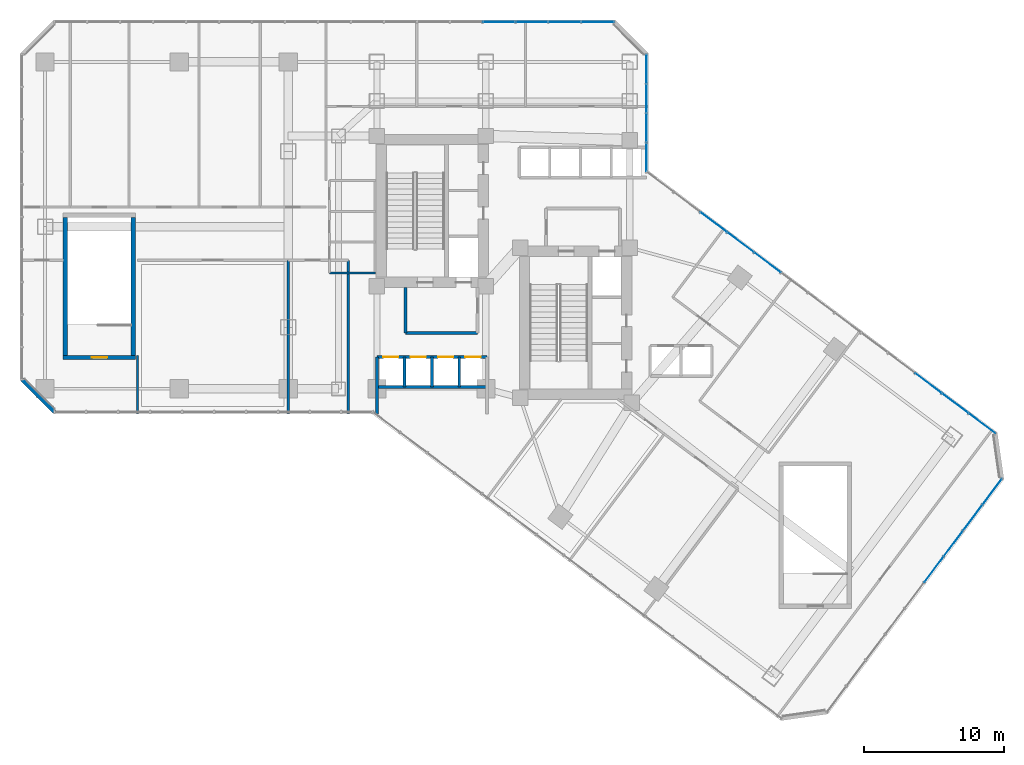
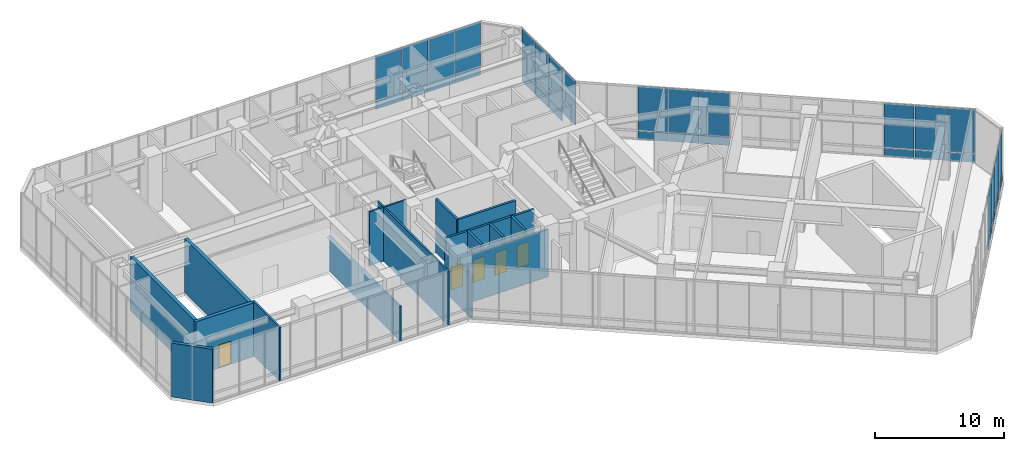
# One storey, part 32 of 38: 35 plates, 16 walls, 5 doors, 5 openings, 4 elements without a shape of their own.
"""IFC4 building model written with IfcOpenShell, lengths in metres."""

from ifc_helpers import new_model, si_unit, direction, frame, frame_2d, origin, origin_2d, place, context, subcontext, project, spatial, rectangle, extrude, material, layer, layer_set, type_object, element, fill, aggregate, save


model = new_model("IFC4")

# Units and contexts
model_context = context("Model", 3, precision=1e-05, world=origin(), true_north=direction((0.0, 1.0)))
body_context = subcontext(model_context, "Body", "Model", "MODEL_VIEW")
ifc_project = project(units=[si_unit("LENGTHUNIT", "METRE"), si_unit("AREAUNIT", "SQUARE_METRE"), si_unit("VOLUMEUNIT", "CUBIC_METRE"), si_unit("PLANEANGLEUNIT", "RADIAN"), si_unit("MASSUNIT", "GRAM", prefix="KILO")], contexts=[model_context])

# Site, building, storey
site_placement = place(None, origin())
site = spatial("IfcSite", under=ifc_project, at=site_placement, CompositionType="ELEMENT")
building_placement = place(site_placement, origin())
building = spatial("IfcBuilding", under=site, at=building_placement, Name="Hatsunagi Terrace Concourse", CompositionType="ELEMENT")
storey_placement = place(building_placement, frame((0.0, 0.0, 21.60009765625)))
storey = spatial("IfcBuildingStorey", under=building, at=storey_placement, Name="L05", CompositionType="ELEMENT", Elevation=21.60009765625)

# Curtain wall, plates
ifc_material_1 = material(Name="Anodised Aluminium Alloy 6063-T5", Category="aluminium")
ifc_layer_1 = layer(ifc_material_1, 0.199951171875)
ifc_layer_set_1 = layer_set([ifc_layer_1], Name="PodiumStorefront_CW01")
curtain_wall_type = type_object("IfcCurtainWallType", Name="PodiumStorefront_CW01", PredefinedType="NOTDEFINED", material=ifc_layer_set_1)
curtain_wall_1_placement = place(storey_placement, origin())
curtain_wall_1 = element("IfcCurtainWall", 1, at=curtain_wall_1_placement, inside=storey, type_object=curtain_wall_type, Name="Unitised Curtain Wall CW-01 CW-L05-01", PredefinedType="NOTDEFINED")
ifc_material_2 = material(Name="Warm Terracotta Ceramic Spandrel Panel", Category="masonry")
ifc_layer_2 = layer(ifc_material_2, 0.031982421875)
ifc_layer_set_2 = layer_set([ifc_layer_2], Name="CurtainWallSpandrelPanel_32")
plate_type_1 = type_object("IfcPlateType", Name="CurtainWallSpandrelPanel_32", PredefinedType="SHEET", material=ifc_layer_set_2)
plate_1_placement = place(storey_placement, frame((49.662109375, 37.12890625, 0.02978515625), z_axis=(0.0, 0.0, 1.0), x_axis=(0.800007305671, -0.599990258982, 0.0)))
plate_1 = element("IfcPlate", 2, at=plate_1_placement, type_object=plate_type_1, Name="Terracotta Spandrel Panel SPN-01", PredefinedType="SHEET", context=body_context, shape_type="SweptSolid", body=[
    extrude(rectangle(XDim=2.345947265625, YDim=0.031982421875, at=origin_2d()), origin(), (0.0, 0.0, 1.0), 0.7900390625),
])
plate_2_placement = place(storey_placement, frame((51.5830078125, 35.68798828125, 0.02978515625), z_axis=(0.0, 0.0, 1.0), x_axis=(0.800007305671, -0.599990258982, 0.0)))
plate_2 = element("IfcPlate", 3, at=plate_2_placement, type_object=plate_type_1, Name="Terracotta Spandrel Panel SPN-01", PredefinedType="SHEET", context=body_context, shape_type="SweptSolid", body=[
    extrude(rectangle(XDim=2.345947265625, YDim=0.031982421875, at=origin_2d()), origin(), (0.0, 0.0, 1.0), 0.7900390625),
])
plate_3_placement = place(storey_placement, frame((53.5029296875, 34.248046875, 0.02978515625), z_axis=(0.0, 0.0, 1.0), x_axis=(0.800007305671, -0.599990258982, 0.0)))
plate_3 = element("IfcPlate", 4, at=plate_3_placement, type_object=plate_type_1, Name="Terracotta Spandrel Panel SPN-01", PredefinedType="SHEET", context=body_context, shape_type="SweptSolid", body=[
    extrude(rectangle(XDim=2.345947265625, YDim=0.031982421875, at=origin_2d()), origin(), (0.0, 0.0, 1.0), 0.7900390625),
])
plate_4_placement = place(storey_placement, frame((65.028076171875, 25.60400390625, 0.02978515625), z_axis=(0.0, 0.0, 1.0), x_axis=(0.800007305671, -0.599990258982, 0.0)))
plate_4 = element("IfcPlate", 5, at=plate_4_placement, type_object=plate_type_1, Name="Terracotta Spandrel Panel SPN-01", PredefinedType="SHEET", context=body_context, shape_type="SweptSolid", body=[
    extrude(rectangle(XDim=2.345947265625, YDim=0.031982421875, at=origin_2d()), origin(), (0.0, 0.0, 1.0), 0.7900390625),
])
plate_5_placement = place(storey_placement, frame((66.948974609375, 24.1640625, 0.02978515625), z_axis=(0.0, 0.0, 1.0), x_axis=(0.800007305671, -0.599990258982, 0.0)))
plate_5 = element("IfcPlate", 6, at=plate_5_placement, type_object=plate_type_1, Name="Terracotta Spandrel Panel SPN-01", PredefinedType="SHEET", context=body_context, shape_type="SweptSolid", body=[
    extrude(rectangle(XDim=2.345947265625, YDim=0.031982421875, at=origin_2d()), origin(), (0.0, 0.0, 1.0), 0.7900390625),
])
plate_6_placement = place(storey_placement, frame((68.8701171875, 22.722900390625, 0.02978515625), z_axis=(0.0, 0.0, 1.0), x_axis=(0.800007305671, -0.599990258982, 0.0)))
plate_6 = element("IfcPlate", 7, at=plate_6_placement, type_object=plate_type_1, Name="Terracotta Spandrel Panel SPN-01", PredefinedType="SHEET", context=body_context, shape_type="SweptSolid", body=[
    extrude(rectangle(XDim=2.345947265625, YDim=0.031982421875, at=origin_2d()), origin(), (0.0, 0.0, 1.0), 0.7900390625),
])

curtain_wall_2_placement = place(storey_placement, origin())
curtain_wall_2 = element("IfcCurtainWall", 8, at=curtain_wall_2_placement, inside=storey, type_object=curtain_wall_type, Name="Unitised Curtain Wall CW-01 CW-L05-03", PredefinedType="NOTDEFINED")
plate_7_placement = place(storey_placement, frame((69.596923828125, 17.830078125, 0.02978515625), z_axis=(0.0, 0.0, 1.0), x_axis=(-0.599969314634, -0.800023013105, 0.0)))
plate_7 = element("IfcPlate", 9, at=plate_7_placement, type_object=plate_type_1, Name="Terracotta Spandrel Panel SPN-01", PredefinedType="SHEET", context=body_context, shape_type="SweptSolid", body=[
    extrude(rectangle(XDim=2.264892578125, YDim=0.031982421875, at=origin_2d()), origin(), (0.0, 0.0, 1.0), 0.7900390625),
])
plate_8_placement = place(storey_placement, frame((68.205078125, 15.972900390625, 0.02978515625), z_axis=(0.0, 0.0, 1.0), x_axis=(-0.599969314634, -0.800023013105, 0.0)))
plate_8 = element("IfcPlate", 10, at=plate_8_placement, type_object=plate_type_1, Name="Terracotta Spandrel Panel SPN-01", PredefinedType="SHEET", context=body_context, shape_type="SweptSolid", body=[
    extrude(rectangle(XDim=2.264892578125, YDim=0.031982421875, at=origin_2d()), origin(), (0.0, 0.0, 1.0), 0.7900390625),
])
plate_9_placement = place(storey_placement, frame((66.81201171875, 14.116943359375, 0.02978515625), z_axis=(0.0, 0.0, 1.0), x_axis=(-0.599969314634, -0.800023013105, 0.0)))
plate_9 = element("IfcPlate", 11, at=plate_9_placement, type_object=plate_type_1, Name="Terracotta Spandrel Panel SPN-01", PredefinedType="SHEET", context=body_context, shape_type="SweptSolid", body=[
    extrude(rectangle(XDim=2.264892578125, YDim=0.031982421875, at=origin_2d()), origin(), (0.0, 0.0, 1.0), 0.7900390625),
])
plate_10_placement = place(storey_placement, frame((65.419921875, 12.260009765625, 0.02978515625), z_axis=(0.0, 0.0, 1.0), x_axis=(-0.599969314634, -0.800023013105, 0.0)))
plate_10 = element("IfcPlate", 12, at=plate_10_placement, type_object=plate_type_1, Name="Terracotta Spandrel Panel SPN-01", PredefinedType="SHEET", context=body_context, shape_type="SweptSolid", body=[
    extrude(rectangle(XDim=2.264892578125, YDim=0.031982421875, at=origin_2d()), origin(), (0.0, 0.0, 1.0), 0.7900390625),
])

curtain_wall_3_placement = place(storey_placement, origin())
curtain_wall_3 = element("IfcCurtainWall", 13, at=curtain_wall_3_placement, inside=storey, type_object=curtain_wall_type, Name="Unitised Curtain Wall CW-01 CW-L05-11", PredefinedType="NOTDEFINED")
plate_11_placement = place(storey_placement, frame((34.2890625, 51.4599609375, 0.02978515625), z_axis=(0.0, 0.0, 1.0), x_axis=(1.0, 0.0, 0.0)))
plate_11 = element("IfcPlate", 14, at=plate_11_placement, type_object=plate_type_1, Name="Terracotta Spandrel Panel SPN-01", PredefinedType="SHEET", context=body_context, shape_type="SweptSolid", body=[
    extrude(rectangle(XDim=2.302978515625, YDim=0.031982421875, at=origin_2d()), origin(), (0.0, 0.0, 1.0), 0.7900390625),
])
plate_12_placement = place(storey_placement, frame((36.64697265625, 51.4599609375, 0.02978515625), z_axis=(0.0, 0.0, 1.0), x_axis=(1.0, 0.0, 0.0)))
plate_12 = element("IfcPlate", 15, at=plate_12_placement, type_object=plate_type_1, Name="Terracotta Spandrel Panel SPN-01", PredefinedType="SHEET", context=body_context, shape_type="SweptSolid", body=[
    extrude(rectangle(XDim=2.302978515625, YDim=0.031982421875, at=origin_2d()), origin(), (0.0, 0.0, 1.0), 0.7900390625),
])
plate_13_placement = place(storey_placement, frame((39.0048828125, 51.4599609375, 0.02978515625), z_axis=(0.0, 0.0, 1.0), x_axis=(1.0, 0.0, 0.0)))
plate_13 = element("IfcPlate", 16, at=plate_13_placement, type_object=plate_type_1, Name="Terracotta Spandrel Panel SPN-01", PredefinedType="SHEET", context=body_context, shape_type="SweptSolid", body=[
    extrude(rectangle(XDim=2.302978515625, YDim=0.031982421875, at=origin_2d()), origin(), (0.0, 0.0, 1.0), 0.7900390625),
])
plate_14_placement = place(storey_placement, frame((41.363037109375, 51.4599609375, 0.02978515625), z_axis=(0.0, 0.0, 1.0), x_axis=(1.0, 0.0, 0.0)))
plate_14 = element("IfcPlate", 17, at=plate_14_placement, type_object=plate_type_1, Name="Terracotta Spandrel Panel SPN-01", PredefinedType="SHEET", context=body_context, shape_type="SweptSolid", body=[
    extrude(rectangle(XDim=2.302978515625, YDim=0.031982421875, at=origin_2d()), origin(), (0.0, 0.0, 1.0), 0.7900390625),
])

curtain_wall_4_placement = place(storey_placement, origin())
curtain_wall_4 = element("IfcCurtainWall", 18, at=curtain_wall_4_placement, inside=storey, type_object=curtain_wall_type, Name="Unitised Curtain Wall CW-01 CW-L05-13", PredefinedType="NOTDEFINED")
plate_15_placement = place(storey_placement, frame((44.860107421875, 48.091064453125, 0.02978515625), z_axis=(0.0, 0.0, 1.0), x_axis=(0.0, -1.0, 0.0)))
plate_15 = element("IfcPlate", 19, at=plate_15_placement, type_object=plate_type_1, Name="Terracotta Spandrel Panel SPN-01", PredefinedType="SHEET", context=body_context, shape_type="SweptSolid", body=[
    extrude(rectangle(XDim=2.048095703125, YDim=0.031982421875, at=origin_2d()), origin(), (0.0, 0.0, 1.0), 0.7900390625),
])
plate_16_placement = place(storey_placement, frame((44.860107421875, 45.987060546875, 0.02978515625), z_axis=(0.0, 0.0, 1.0), x_axis=(0.0, -1.0, 0.0)))
plate_16 = element("IfcPlate", 20, at=plate_16_placement, type_object=plate_type_1, Name="Terracotta Spandrel Panel SPN-01", PredefinedType="SHEET", context=body_context, shape_type="SweptSolid", body=[
    extrude(rectangle(XDim=2.048095703125, YDim=0.031982421875, at=origin_2d()), origin(), (0.0, 0.0, 1.0), 0.7900390625),
])
plate_17_placement = place(storey_placement, frame((44.860107421875, 43.885009765625, 0.02978515625), z_axis=(0.0, 0.0, 1.0), x_axis=(0.0, -1.0, 0.0)))
plate_17 = element("IfcPlate", 21, at=plate_17_placement, type_object=plate_type_1, Name="Terracotta Spandrel Panel SPN-01", PredefinedType="SHEET", context=body_context, shape_type="SweptSolid", body=[
    extrude(rectangle(XDim=2.048095703125, YDim=0.031982421875, at=origin_2d()), origin(), (0.0, 0.0, 1.0), 0.7900390625),
])

# Plate
ifc_material_3 = material(Name="Low-E Double Insulating Glass 28mm", Category="glass")
ifc_layer_3 = layer(ifc_material_3, 0.028076171875)
ifc_layer_set_3 = layer_set([ifc_layer_3], Name="CurtainWallVisionGlass_28")
plate_type_2 = type_object("IfcPlateType", Name="CurtainWallVisionGlass_28", PredefinedType="CURTAIN_PANEL", material=ifc_layer_set_3)
plate_18_placement = place(storey_placement, frame((49.662109375, 37.12890625, 0.8798828125), z_axis=(0.0, 0.0, 1.0), x_axis=(0.800007305671, -0.599990258982, 0.0)))
plate_18 = element("IfcPlate", 22, at=plate_18_placement, type_object=plate_type_2, Name="Low-E Vision Glass Panel GLZ-01", PredefinedType="CURTAIN_PANEL", context=body_context, shape_type="SweptSolid", body=[
    extrude(rectangle(XDim=2.345947265625, YDim=0.028076171875, at=origin_2d()), origin(), (0.0, 0.0, 1.0), 4.18994140625),
])

plate_19_placement = place(storey_placement, frame((51.5830078125, 35.68798828125, 0.8798828125), z_axis=(0.0, 0.0, 1.0), x_axis=(0.800007305671, -0.599990258982, 0.0)))
plate_19 = element("IfcPlate", 23, at=plate_19_placement, type_object=plate_type_2, Name="Low-E Vision Glass Panel GLZ-01", PredefinedType="CURTAIN_PANEL", context=body_context, shape_type="SweptSolid", body=[
    extrude(rectangle(XDim=2.345947265625, YDim=0.028076171875, at=origin_2d()), origin(), (0.0, 0.0, 1.0), 4.18994140625),
])

plate_20_placement = place(storey_placement, frame((53.5029296875, 34.248046875, 0.8798828125), z_axis=(0.0, 0.0, 1.0), x_axis=(0.800007305671, -0.599990258982, 0.0)))
plate_20 = element("IfcPlate", 24, at=plate_20_placement, type_object=plate_type_2, Name="Low-E Vision Glass Panel GLZ-01", PredefinedType="CURTAIN_PANEL", context=body_context, shape_type="SweptSolid", body=[
    extrude(rectangle(XDim=2.345947265625, YDim=0.028076171875, at=origin_2d()), origin(), (0.0, 0.0, 1.0), 4.18994140625),
])

plate_21_placement = place(storey_placement, frame((65.028076171875, 25.60400390625, 0.8798828125), z_axis=(0.0, 0.0, 1.0), x_axis=(0.800007305671, -0.599990258982, 0.0)))
plate_21 = element("IfcPlate", 25, at=plate_21_placement, type_object=plate_type_2, Name="Low-E Vision Glass Panel GLZ-01", PredefinedType="CURTAIN_PANEL", context=body_context, shape_type="SweptSolid", body=[
    extrude(rectangle(XDim=2.345947265625, YDim=0.028076171875, at=origin_2d()), origin(), (0.0, 0.0, 1.0), 4.18994140625),
])

plate_22_placement = place(storey_placement, frame((66.948974609375, 24.1640625, 0.8798828125), z_axis=(0.0, 0.0, 1.0), x_axis=(0.800007305671, -0.599990258982, 0.0)))
plate_22 = element("IfcPlate", 26, at=plate_22_placement, type_object=plate_type_2, Name="Low-E Vision Glass Panel GLZ-01", PredefinedType="CURTAIN_PANEL", context=body_context, shape_type="SweptSolid", body=[
    extrude(rectangle(XDim=2.345947265625, YDim=0.028076171875, at=origin_2d()), origin(), (0.0, 0.0, 1.0), 4.18994140625),
])

plate_23_placement = place(storey_placement, frame((68.8701171875, 22.722900390625, 0.8798828125), z_axis=(0.0, 0.0, 1.0), x_axis=(0.800007305671, -0.599990258982, 0.0)))
plate_23 = element("IfcPlate", 27, at=plate_23_placement, type_object=plate_type_2, Name="Low-E Vision Glass Panel GLZ-01", PredefinedType="CURTAIN_PANEL", context=body_context, shape_type="SweptSolid", body=[
    extrude(rectangle(XDim=2.345947265625, YDim=0.028076171875, at=origin_2d()), origin(), (0.0, 0.0, 1.0), 4.18994140625),
])

aggregate(curtain_wall_1, [plate_1, plate_18, plate_2, plate_19, plate_3, plate_20, plate_4, plate_21, plate_5, plate_22, plate_6, plate_23])

plate_24_placement = place(storey_placement, frame((69.596923828125, 17.830078125, 0.8798828125), z_axis=(0.0, 0.0, 1.0), x_axis=(-0.599969314634, -0.800023013105, 0.0)))
plate_24 = element("IfcPlate", 28, at=plate_24_placement, type_object=plate_type_2, Name="Low-E Vision Glass Panel GLZ-01", PredefinedType="CURTAIN_PANEL", context=body_context, shape_type="SweptSolid", body=[
    extrude(rectangle(XDim=2.264892578125, YDim=0.028076171875, at=origin_2d()), origin(), (0.0, 0.0, 1.0), 4.18994140625),
])

plate_25_placement = place(storey_placement, frame((68.205078125, 15.972900390625, 0.8798828125), z_axis=(0.0, 0.0, 1.0), x_axis=(-0.599969314634, -0.800023013105, 0.0)))
plate_25 = element("IfcPlate", 29, at=plate_25_placement, type_object=plate_type_2, Name="Low-E Vision Glass Panel GLZ-01", PredefinedType="CURTAIN_PANEL", context=body_context, shape_type="SweptSolid", body=[
    extrude(rectangle(XDim=2.264892578125, YDim=0.028076171875, at=origin_2d()), origin(), (0.0, 0.0, 1.0), 4.18994140625),
])

plate_26_placement = place(storey_placement, frame((66.81201171875, 14.116943359375, 0.8798828125), z_axis=(0.0, 0.0, 1.0), x_axis=(-0.599969314634, -0.800023013105, 0.0)))
plate_26 = element("IfcPlate", 30, at=plate_26_placement, type_object=plate_type_2, Name="Low-E Vision Glass Panel GLZ-01", PredefinedType="CURTAIN_PANEL", context=body_context, shape_type="SweptSolid", body=[
    extrude(rectangle(XDim=2.264892578125, YDim=0.028076171875, at=origin_2d()), origin(), (0.0, 0.0, 1.0), 4.18994140625),
])

plate_27_placement = place(storey_placement, frame((65.419921875, 12.260009765625, 0.8798828125), z_axis=(0.0, 0.0, 1.0), x_axis=(-0.599969314634, -0.800023013105, 0.0)))
plate_27 = element("IfcPlate", 31, at=plate_27_placement, type_object=plate_type_2, Name="Low-E Vision Glass Panel GLZ-01", PredefinedType="CURTAIN_PANEL", context=body_context, shape_type="SweptSolid", body=[
    extrude(rectangle(XDim=2.264892578125, YDim=0.028076171875, at=origin_2d()), origin(), (0.0, 0.0, 1.0), 4.18994140625),
])

aggregate(curtain_wall_2, [plate_7, plate_24, plate_8, plate_25, plate_9, plate_26, plate_10, plate_27])

plate_28_placement = place(storey_placement, frame((34.2890625, 51.4599609375, 0.8798828125), z_axis=(0.0, 0.0, 1.0), x_axis=(1.0, 0.0, 0.0)))
plate_28 = element("IfcPlate", 32, at=plate_28_placement, type_object=plate_type_2, Name="Low-E Vision Glass Panel GLZ-01", PredefinedType="CURTAIN_PANEL", context=body_context, shape_type="SweptSolid", body=[
    extrude(rectangle(XDim=2.302978515625, YDim=0.028076171875, at=origin_2d()), origin(), (0.0, 0.0, 1.0), 4.18994140625),
])

plate_29_placement = place(storey_placement, frame((36.64697265625, 51.4599609375, 0.8798828125), z_axis=(0.0, 0.0, 1.0), x_axis=(1.0, 0.0, 0.0)))
plate_29 = element("IfcPlate", 33, at=plate_29_placement, type_object=plate_type_2, Name="Low-E Vision Glass Panel GLZ-01", PredefinedType="CURTAIN_PANEL", context=body_context, shape_type="SweptSolid", body=[
    extrude(rectangle(XDim=2.302978515625, YDim=0.028076171875, at=origin_2d()), origin(), (0.0, 0.0, 1.0), 4.18994140625),
])

plate_30_placement = place(storey_placement, frame((39.0048828125, 51.4599609375, 0.8798828125), z_axis=(0.0, 0.0, 1.0), x_axis=(1.0, 0.0, 0.0)))
plate_30 = element("IfcPlate", 34, at=plate_30_placement, type_object=plate_type_2, Name="Low-E Vision Glass Panel GLZ-01", PredefinedType="CURTAIN_PANEL", context=body_context, shape_type="SweptSolid", body=[
    extrude(rectangle(XDim=2.302978515625, YDim=0.028076171875, at=origin_2d()), origin(), (0.0, 0.0, 1.0), 4.18994140625),
])

plate_31_placement = place(storey_placement, frame((41.363037109375, 51.4599609375, 0.8798828125), z_axis=(0.0, 0.0, 1.0), x_axis=(1.0, 0.0, 0.0)))
plate_31 = element("IfcPlate", 35, at=plate_31_placement, type_object=plate_type_2, Name="Low-E Vision Glass Panel GLZ-01", PredefinedType="CURTAIN_PANEL", context=body_context, shape_type="SweptSolid", body=[
    extrude(rectangle(XDim=2.302978515625, YDim=0.028076171875, at=origin_2d()), origin(), (0.0, 0.0, 1.0), 4.18994140625),
])

aggregate(curtain_wall_3, [plate_11, plate_28, plate_12, plate_29, plate_13, plate_30, plate_14, plate_31])

plate_32_placement = place(storey_placement, frame((44.860107421875, 48.091064453125, 0.8798828125), z_axis=(0.0, 0.0, 1.0), x_axis=(0.0, -1.0, 0.0)))
plate_32 = element("IfcPlate", 36, at=plate_32_placement, type_object=plate_type_2, Name="Low-E Vision Glass Panel GLZ-01", PredefinedType="CURTAIN_PANEL", context=body_context, shape_type="SweptSolid", body=[
    extrude(rectangle(XDim=2.048095703125, YDim=0.028076171875, at=origin_2d()), origin(), (0.0, 0.0, 1.0), 4.18994140625),
])

plate_33_placement = place(storey_placement, frame((44.860107421875, 45.987060546875, 0.8798828125), z_axis=(0.0, 0.0, 1.0), x_axis=(0.0, -1.0, 0.0)))
plate_33 = element("IfcPlate", 37, at=plate_33_placement, type_object=plate_type_2, Name="Low-E Vision Glass Panel GLZ-01", PredefinedType="CURTAIN_PANEL", context=body_context, shape_type="SweptSolid", body=[
    extrude(rectangle(XDim=2.048095703125, YDim=0.028076171875, at=origin_2d()), origin(), (0.0, 0.0, 1.0), 4.18994140625),
])

plate_34_placement = place(storey_placement, frame((44.860107421875, 43.885009765625, 0.8798828125), z_axis=(0.0, 0.0, 1.0), x_axis=(0.0, -1.0, 0.0)))
plate_34 = element("IfcPlate", 38, at=plate_34_placement, type_object=plate_type_2, Name="Low-E Vision Glass Panel GLZ-01", PredefinedType="CURTAIN_PANEL", context=body_context, shape_type="SweptSolid", body=[
    extrude(rectangle(XDim=2.048095703125, YDim=0.028076171875, at=origin_2d()), origin(), (0.0, 0.0, 1.0), 4.18994140625),
])

plate_35_placement = place(storey_placement, frame((44.860107421875, 41.781005859375, 0.8798828125), z_axis=(0.0, 0.0, 1.0), x_axis=(0.0, -1.0, 0.0)))
plate_35 = element("IfcPlate", 39, at=plate_35_placement, type_object=plate_type_2, Name="Low-E Vision Glass Panel GLZ-01", PredefinedType="CURTAIN_PANEL", context=body_context, shape_type="SweptSolid", body=[
    extrude(rectangle(XDim=2.048095703125, YDim=0.028076171875, at=origin_2d()), origin(), (0.0, 0.0, 1.0), 4.18994140625),
])

aggregate(curtain_wall_4, [plate_15, plate_32, plate_16, plate_33, plate_17, plate_34, plate_35])

# Wall, opening, door
ifc_material_4 = material(Name="Concrete Fc48", Category="concrete")
ifc_layer_4 = layer(ifc_material_4, 0.300048828125)
ifc_layer_set_4 = layer_set([ifc_layer_4], Name="CoreStairDivider_Fc48_300")
wall_type_1 = type_object("IfcWallType", Name="CoreStairDivider_Fc48_300", PredefinedType="SHEAR", material=ifc_layer_set_4)
wall_1_placement = place(storey_placement, frame((3.090087890625, 27.43994140625, 0.0), z_axis=(0.0, 0.0, 1.0), x_axis=(1.0, 0.0, 0.0)))
wall_1 = element("IfcWall", 40, at=wall_1_placement, inside=storey, type_object=wall_type_1, Name="Podium Stair P1 Shear Wall S L05", PredefinedType="SHEAR", context=body_context, shape_type="SweptSolid", body=[
    extrude(rectangle(XDim=5.169921875, YDim=0.300048828125, at=frame_2d((2.5849609375, 0.0))), origin(), (0.0, 0.0, 1.0), 5.099853515625),
])
opening_1_placement = place(wall_1_placement, frame((2.06005859375, 0.0, 0.0)))
opening_1 = element("IfcOpeningElement", 41, at=opening_1_placement, cuts=wall_1, Name="Opening DR-110S", PredefinedType="OPENING", context=body_context, shape_type="SweptSolid", body=[
    extrude(rectangle(XDim=1.10009765625, YDim=2.199951171875, at=frame_2d((0.550048828125, 1.10009765625))), frame((0.0, 0.159912109375, 0.0), z_axis=(0.0, -1.0, 0.0), x_axis=(1.0, 0.0, 0.0)), (0.0, 0.0, 1.0), 0.320068359375),
])
ifc_material_5 = material(Name="Painted steel", Category="steel")
door_type_1 = type_object("IfcDoorType", Name="StairFireDoor_EI60_1100", OperationType="NOTDEFINED", PredefinedType="DOOR", material=ifc_material_5)
door_1_placement = place(opening_1_placement, origin())
door_1 = element("IfcDoor", 42, at=door_1_placement, inside=storey, type_object=door_type_1, Name="Stair ST-P1 Exit Door L05", OperationType="SINGLE_SWING_LEFT", OverallHeight=2.199951171875, OverallWidth=1.10009765625, PredefinedType="DOOR", context=body_context, shape_type="SweptSolid", body=[
    extrude(rectangle(XDim=1.10009765625, YDim=2.199951171875, at=frame_2d((0.550048828125, 1.10009765625))), frame((0.0, 0.02490234375, 0.0), z_axis=(0.0, -1.0, 0.0), x_axis=(1.0, 0.0, 0.0)), (0.0, 0.0, 1.0), 0.050048828125),
])
fill(opening_1, door_1)

# Walls
for number, where, z_axis, x_axis, name in (
    (43, (3.239990234375, 27.590087890625, 0.0), (0.0, 0.0, 1.0), (0.0, 1.0, 0.0), "Podium Stair P1 Shear Wall W L05"),
    (44, (8.110107421875, 27.590087890625, 0.0), (0.0, 0.0, 1.0), (0.0, 1.0, 0.0), "Podium Stair P1 Shear Wall E L05"),
):
    element("IfcWall", number, at=place(storey_placement, frame(where, z_axis=z_axis, x_axis=x_axis)), inside=storey, type_object=wall_type_1, Name=name, PredefinedType="SHEAR", context=body_context, shape_type="SweptSolid", body=[
        extrude(rectangle(XDim=9.8798828125, YDim=0.300048828125, at=frame_2d((4.93994140625, 0.0))), origin(), (0.0, 0.0, 1.0), 5.099853515625),
    ])
ifc_material_6 = material(Name="Acoustic mineral board", Category="gypsum")
ifc_layer_5 = layer(ifc_material_6, 0.14990234375)
ifc_layer_set_5 = layer_set([ifc_layer_5], Name="PartitionWall_EI60_150")
wall_type_2 = type_object("IfcWallType", Name="PartitionWall_EI60_150", PredefinedType="PARTITIONING", material=ifc_layer_set_5)
wall_2_placement = place(storey_placement, frame((22.14990234375, 33.5, 0.0), z_axis=(0.0, 0.0, 1.0), x_axis=(1.0, 0.0, 0.0)))
element("IfcWall", 45, at=wall_2_placement, inside=storey, type_object=wall_type_2, Name="Interior Partition IW-L05-029", PredefinedType="PARTITIONING", context=body_context, shape_type="SweptSolid", body=[
    extrude(rectangle(XDim=3.300048828125, YDim=0.14990234375, at=frame_2d((1.64990234375, 0.0))), origin(), (0.0, 0.0, 1.0), 5.099853515625),
])
wall_3_placement = place(storey_placement, frame((8.39990234375, 23.43994140625, 0.0), z_axis=(0.0, 0.0, 1.0), x_axis=(0.0, 1.0, 0.0)))
element("IfcWall", 46, at=wall_3_placement, inside=storey, type_object=wall_type_2, Name="Interior Partition IW-L05-053", PredefinedType="PARTITIONING", context=body_context, shape_type="SweptSolid", body=[
    extrude(rectangle(XDim=4.150146484375, YDim=0.14990234375, at=frame_2d((2.0751953125, 0.0))), origin(), (0.0, 0.0, 1.0), 5.099853515625),
])
wall_4_placement = place(storey_placement, frame((19.199951171875, 23.43994140625, 0.0), z_axis=(0.0, 0.0, 1.0), x_axis=(0.0, 1.0, 0.0)))
element("IfcWall", 47, at=wall_4_placement, inside=storey, type_object=wall_type_2, Name="Interior Partition IW-L05-055", PredefinedType="PARTITIONING", context=body_context, shape_type="SweptSolid", body=[
    extrude(rectangle(XDim=10.9599609375, YDim=0.14990234375, at=frame_2d((5.47998046875, 0.0))), origin(), (0.0, 0.0, 1.0), 3.294921875),
])
wall_5_placement = place(storey_placement, frame((23.5, 23.43994140625, 0.0), z_axis=(0.0, 0.0, 1.0), x_axis=(0.0, 1.0, 0.0)))
element("IfcWall", 48, at=wall_5_placement, inside=storey, type_object=wall_type_2, Name="Interior Partition IW-L05-057", PredefinedType="PARTITIONING", context=body_context, shape_type="SweptSolid", body=[
    extrude(rectangle(XDim=10.9599609375, YDim=0.14990234375, at=frame_2d((5.47998046875, 0.0))), origin(), (0.0, 0.0, 1.0), 5.099853515625),
])
ifc_material_7 = material(Name="Acoustic mineral board", Category="gypsum")
ifc_layer_6 = layer(ifc_material_7, 0.199951171875)
ifc_layer_set_6 = layer_set([ifc_layer_6], Name="ShaftWall_EI120_200")
wall_type_3 = type_object("IfcWallType", Name="ShaftWall_EI120_200", PredefinedType="STANDARD", material=ifc_layer_set_6)
wall_6_placement = place(storey_placement, frame((27.60009765625, 29.199951171875, 0.0), z_axis=(0.0, 0.0, 1.0), x_axis=(1.0, 0.0, 0.0)))
element("IfcWall", 49, at=wall_6_placement, inside=storey, type_object=wall_type_3, Name="Interior Partition IW-L05-005", PredefinedType="STANDARD", context=body_context, shape_type="SweptSolid", body=[
    extrude(rectangle(XDim=5.14990234375, YDim=0.199951171875, at=frame_2d((2.574951171875, 0.0))), origin(), (0.0, 0.0, 1.0), 5.099853515625),
])
wall_7_placement = place(storey_placement, frame((27.60009765625, 29.199951171875, 0.0), z_axis=(0.0, 0.0, 1.0), x_axis=(0.0, 1.0, 0.0)))
element("IfcWall", 50, at=wall_7_placement, inside=storey, type_object=wall_type_3, Name="Interior Partition IW-L05-006", PredefinedType="STANDARD", context=body_context, shape_type="SweptSolid", body=[
    extrude(rectangle(XDim=3.239990234375, YDim=0.199951171875, at=frame_2d((1.6201171875, 0.0))), origin(), (0.0, 0.0, 1.0), 5.099853515625),
])
wall_8_placement = place(storey_placement, frame((25.550048828125, 23.39990234375, 0.0), z_axis=(0.0, 0.0, 1.0), x_axis=(0.0, 1.0, 0.0)))
element("IfcWall", 51, at=wall_8_placement, inside=storey, type_object=wall_type_3, Name="Interior Partition IW-L05-011", PredefinedType="STANDARD", context=body_context, shape_type="SweptSolid", body=[
    extrude(rectangle(XDim=4.080078125, YDim=0.199951171875, at=frame_2d((2.0400390625, 0.0))), origin(), (0.0, 0.0, 1.0), 3.89501953125),
])
wall_9_placement = place(storey_placement, frame((25.550048828125, 25.320068359375, 0.0), z_axis=(0.0, 0.0, 1.0), x_axis=(1.0, 0.0, 0.0)))
element("IfcWall", 52, at=wall_9_placement, inside=storey, type_object=wall_type_3, Name="Interior Partition IW-L05-013", PredefinedType="STANDARD", context=body_context, shape_type="SweptSolid", body=[
    extrude(rectangle(XDim=7.8798828125, YDim=0.199951171875, at=frame_2d((3.93994140625, 0.0))), origin(), (0.0, 0.0, 1.0), 4.494873046875),
])
for number, where, z_axis, x_axis, name in (
    (53, (27.530029296875, 25.320068359375, 0.0), (0.0, 0.0, 1.0), (0.0, 1.0, 0.0), "Interior Partition IW-L05-014"),
    (54, (29.489990234375, 25.320068359375, 0.0), (0.0, 0.0, 1.0), (0.0, 1.0, 0.0), "Interior Partition IW-L05-015"),
    (55, (31.449951171875, 25.320068359375, 0.0), (0.0, 0.0, 1.0), (0.0, 1.0, 0.0), "Interior Partition IW-L05-016"),
):
    element("IfcWall", number, at=place(storey_placement, frame(where, z_axis=z_axis, x_axis=x_axis)), inside=storey, type_object=wall_type_3, Name=name, PredefinedType="STANDARD", context=body_context, shape_type="SweptSolid", body=[
        extrude(rectangle(XDim=2.159912109375, YDim=0.199951171875, at=frame_2d((1.080078125, 0.0))), origin(), (0.0, 0.0, 1.0), 5.099853515625),
    ])

# Wall, openings, doors
wall_10_placement = place(storey_placement, frame((25.550048828125, 27.47998046875, 0.0), z_axis=(0.0, 0.0, 1.0), x_axis=(1.0, 0.0, 0.0)))
wall_10 = element("IfcWall", 56, at=wall_10_placement, inside=storey, type_object=wall_type_3, Name="Interior Partition IW-L05-017", PredefinedType="STANDARD", context=body_context, shape_type="SweptSolid", body=[
    extrude(rectangle(XDim=7.8798828125, YDim=0.199951171875, at=frame_2d((3.93994140625, 0.0))), origin(), (0.0, 0.0, 1.0), 5.099853515625),
])
opening_2_placement = place(wall_10_placement, frame((0.4599609375, 0.0, 0.0)))
opening_2 = element("IfcOpeningElement", 57, at=opening_2_placement, cuts=wall_10, Name="Opening LD-03", PredefinedType="OPENING", context=body_context, shape_type="SweptSolid", body=[
    extrude(rectangle(XDim=1.080078125, YDim=2.14990234375, at=frame_2d((0.5400390625, 1.074951171875))), frame((0.0, 0.10986328125, 0.0), z_axis=(0.0, -1.0, 0.0), x_axis=(1.0, 0.0, 0.0)), (0.0, 0.0, 1.0), 0.219970703125),
])
opening_3_placement = place(wall_10_placement, frame((2.419921875, 0.0, 0.0)))
opening_3 = element("IfcOpeningElement", 58, at=opening_3_placement, cuts=wall_10, Name="Opening LD-03", PredefinedType="OPENING", context=body_context, shape_type="SweptSolid", body=[
    extrude(rectangle(XDim=1.080078125, YDim=2.14990234375, at=frame_2d((0.5400390625, 1.074951171875))), frame((0.0, 0.10986328125, 0.0), z_axis=(0.0, -1.0, 0.0), x_axis=(1.0, 0.0, 0.0)), (0.0, 0.0, 1.0), 0.219970703125),
])
opening_4_placement = place(wall_10_placement, frame((4.3798828125, 0.0, 0.0)))
opening_4 = element("IfcOpeningElement", 59, at=opening_4_placement, cuts=wall_10, Name="Opening LD-03", PredefinedType="OPENING", context=body_context, shape_type="SweptSolid", body=[
    extrude(rectangle(XDim=1.080078125, YDim=2.14990234375, at=frame_2d((0.5400390625, 1.074951171875))), frame((0.0, 0.10986328125, 0.0), z_axis=(0.0, -1.0, 0.0), x_axis=(1.0, 0.0, 0.0)), (0.0, 0.0, 1.0), 0.219970703125),
])
opening_5_placement = place(wall_10_placement, frame((6.340087890625, 0.0, 0.0)))
opening_5 = element("IfcOpeningElement", 60, at=opening_5_placement, cuts=wall_10, Name="Opening LD-03", PredefinedType="OPENING", context=body_context, shape_type="SweptSolid", body=[
    extrude(rectangle(XDim=1.080078125, YDim=2.14990234375, at=frame_2d((0.5400390625, 1.074951171875))), frame((0.0, 0.10986328125, 0.0), z_axis=(0.0, -1.0, 0.0), x_axis=(1.0, 0.0, 0.0)), (0.0, 0.0, 1.0), 0.219970703125),
])
ifc_material_8 = material(Name="Stainless steel", Category="steel")
door_type_2 = type_object("IfcDoorType", Name="LiftLandingDoor_LD03", OperationType="SLIDING_TO_LEFT", PredefinedType="USERDEFINED", material=ifc_material_8)
door_2_placement = place(opening_2_placement, origin())
door_2 = element("IfcDoor", 61, at=door_2_placement, inside=storey, type_object=door_type_2, Name="Lift landing door PL-01 L05", ObjectType="SLIDING_LANDING_DOOR", OperationType="SLIDING_TO_LEFT", OverallHeight=2.14990234375, OverallWidth=1.080078125, PredefinedType="USERDEFINED", context=body_context, shape_type="SweptSolid", body=[
    extrude(rectangle(XDim=1.080078125, YDim=2.14990234375, at=frame_2d((0.5400390625, 1.074951171875))), frame((0.0, 0.02490234375, 0.0), z_axis=(0.0, -1.0, 0.0), x_axis=(1.0, 0.0, 0.0)), (0.0, 0.0, 1.0), 0.050048828125),
])
fill(opening_2, door_2)
door_3_placement = place(opening_3_placement, origin())
door_3 = element("IfcDoor", 62, at=door_3_placement, inside=storey, type_object=door_type_2, Name="Lift landing door PL-02 L05", ObjectType="SLIDING_LANDING_DOOR", OperationType="SLIDING_TO_LEFT", OverallHeight=2.14990234375, OverallWidth=1.080078125, PredefinedType="USERDEFINED", context=body_context, shape_type="SweptSolid", body=[
    extrude(rectangle(XDim=1.080078125, YDim=2.14990234375, at=frame_2d((0.5400390625, 1.074951171875))), frame((0.0, 0.02490234375, 0.0), z_axis=(0.0, -1.0, 0.0), x_axis=(1.0, 0.0, 0.0)), (0.0, 0.0, 1.0), 0.050048828125),
])
fill(opening_3, door_3)
door_4_placement = place(opening_4_placement, origin())
door_4 = element("IfcDoor", 63, at=door_4_placement, inside=storey, type_object=door_type_2, Name="Lift landing door PL-03 L05", ObjectType="SLIDING_LANDING_DOOR", OperationType="SLIDING_TO_LEFT", OverallHeight=2.14990234375, OverallWidth=1.080078125, PredefinedType="USERDEFINED", context=body_context, shape_type="SweptSolid", body=[
    extrude(rectangle(XDim=1.080078125, YDim=2.14990234375, at=frame_2d((0.5400390625, 1.074951171875))), frame((0.0, 0.02490234375, 0.0), z_axis=(0.0, -1.0, 0.0), x_axis=(1.0, 0.0, 0.0)), (0.0, 0.0, 1.0), 0.050048828125),
])
fill(opening_4, door_4)
door_5_placement = place(opening_5_placement, origin())
door_5 = element("IfcDoor", 64, at=door_5_placement, inside=storey, type_object=door_type_2, Name="Lift landing door PL-04 L05", ObjectType="SLIDING_LANDING_DOOR", OperationType="SLIDING_TO_LEFT", OverallHeight=2.14990234375, OverallWidth=1.080078125, PredefinedType="USERDEFINED", context=body_context, shape_type="SweptSolid", body=[
    extrude(rectangle(XDim=1.080078125, YDim=2.14990234375, at=frame_2d((0.5400390625, 1.074951171875))), frame((0.0, 0.02490234375, 0.0), z_axis=(0.0, -1.0, 0.0), x_axis=(1.0, 0.0, 0.0)), (0.0, 0.0, 1.0), 0.050048828125),
])
fill(opening_5, door_5)

# Wall
ifc_material_9 = material(Name="Autoclaved Lightweight Concrete and Terracotta Cladding", Category="masonry")
ifc_layer_7 = layer(ifc_material_9, 0.280029296875)
ifc_layer_set_7 = layer_set([ifc_layer_7], Name="TerracottaSpandrelWall_280")
wall_type_4 = type_object("IfcWallType", Name="TerracottaSpandrelWall_280", PredefinedType="STANDARD", material=ifc_layer_set_7)
wall_11_placement = place(storey_placement, frame((2.4580078125, 23.5400390625, 0.0), z_axis=(0.0, 0.0, 1.0), x_axis=(-0.707144017911, 0.707069542501, 0.0)))
element("IfcWall", 65, at=wall_11_placement, inside=storey, type_object=wall_type_4, Name="Exterior Spandrel Wall EW-L05-08", PredefinedType="STANDARD", context=body_context, shape_type="SweptSolid", body=[
    extrude(rectangle(XDim=3.278076171875, YDim=0.280029296875, at=frame_2d((1.63916015625, 0.0))), origin(), (0.0, 0.0, 1.0), 5.099853515625),
])

save(model, "model.ifc")
